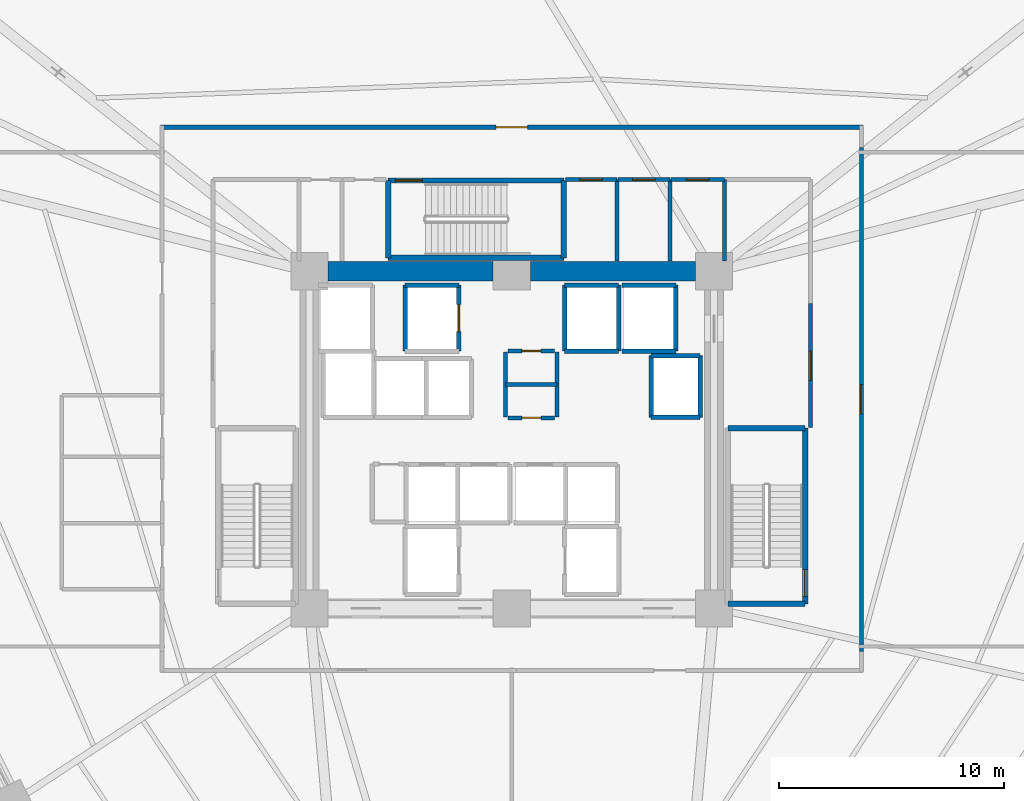
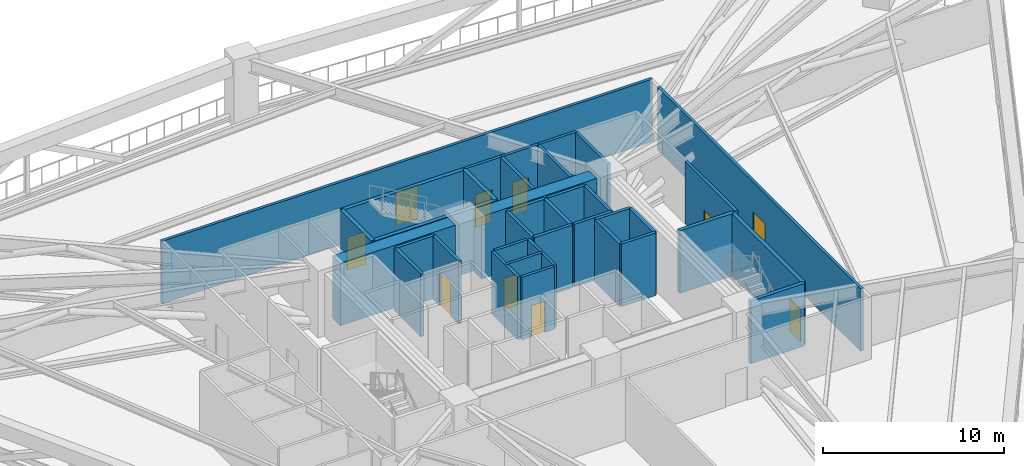
# One storey, part 19 of 25: 37 walls, 11 doors, 11 openings.
"""IFC4 building model written with IfcOpenShell, lengths in metres."""

from ifc_helpers import new_model, si_unit, direction, frame, frame_2d, origin, place, context, subcontext, project, spatial, rectangle, extrude, source, transform, mapped, material, layer, layer_set, type_object, element, fill, save


model = new_model("IFC4")

# Units and contexts
model_context = context("Model", 3, precision=1e-05, world=origin(), true_north=direction((0.0, 1.0)))
body_context = subcontext(model_context, "Body", "Model", "MODEL_VIEW")
ifc_project = project(units=[si_unit("LENGTHUNIT", "METRE"), si_unit("AREAUNIT", "SQUARE_METRE"), si_unit("VOLUMEUNIT", "CUBIC_METRE"), si_unit("PLANEANGLEUNIT", "RADIAN"), si_unit("MASSUNIT", "GRAM", prefix="KILO")], contexts=[model_context])

# Site, building, storey
site_placement = place(None, origin())
site = spatial("IfcSite", under=ifc_project, at=site_placement, CompositionType="ELEMENT")
building_placement = place(site_placement, origin())
building = spatial("IfcBuilding", under=site, at=building_placement, Name="Liaohun Quay Tower", CompositionType="ELEMENT")
storey_placement = place(building_placement, frame((0.0, 0.0, 93.0)))
storey = spatial("IfcBuildingStorey", under=building, at=storey_placement, Name="L24", CompositionType="ELEMENT", Elevation=93.0)

# Walls
ifc_material_1 = material(Name="Concrete C60", Category="concrete")
ifc_layer_1 = layer(ifc_material_1, 0.85009765625, Name="Concrete C60", Category="concrete")
ifc_layer_set_1 = layer_set([ifc_layer_1], Name="Concrete C60")
wall_type_1 = type_object("IfcWallType", Name="WAL-COR-Z1", PredefinedType="SHEAR", material=ifc_layer_set_1)
for number, where, z_axis, x_axis, name in (
    (1, (51.824951171875, 61.5, 0.0), (0.0, 0.0, 1.0), (1.0, 0.0, 0.0), "L24 Central Core Shear Wall N-W"),
    (2, (60.824951171875, 61.5, 0.0), (0.0, 0.0, 1.0), (1.0, 0.0, 0.0), "L24 Central Core Shear Wall N-E"),
):
    element("IfcWall", number, at=place(storey_placement, frame(where, z_axis=z_axis, x_axis=x_axis)), inside=storey, type_object=wall_type_1, Name=name, PredefinedType="SHEAR", context=body_context, shape_type="SweptSolid", body=[
        extrude(rectangle(XDim=7.35009765625, YDim=0.85009765625, at=frame_2d((3.675048828125, 0.0))), origin(), (0.0, 0.0, 1.0), 4.219970703125),
    ])

# Wall, opening, door
ifc_material_2 = material(Name="Autoclaved aerated concrete blockwork", Category="masonry")
ifc_layer_2 = layer(ifc_material_2, 0.179931640625, Name="Autoclaved aerated concrete blockwork", Category="masonry")
ifc_layer_set_2 = layer_set([ifc_layer_2], Name="Autoclaved aerated concrete blockwork")
wall_type_2 = type_object("IfcWallType", Name="WAL-PRT-COR", PredefinedType="PARTITIONING", material=ifc_layer_set_2)
wall_1_placement = place(storey_placement, frame((59.840087890625, 54.97998046875, 0.0), z_axis=(0.0, 0.0, 1.0), x_axis=(1.0, 0.0, 0.0)))
wall_1 = element("IfcWall", 3, at=wall_1_placement, inside=storey, type_object=wall_type_2, Name="L24 Interior Partition Wall 001", PredefinedType="PARTITIONING", context=body_context, shape_type="SweptSolid", body=[
    extrude(rectangle(XDim=2.059814453125, YDim=0.179931640625, at=frame_2d((1.02978515625, 0.0))), origin(), (0.0, 0.0, 1.0), 4.219970703125),
])
shared_shape_1 = source(origin(), body_context, "Body", "SweptSolid", [
    extrude(rectangle(XDim=0.85009765625, YDim=2.10009765625, at=frame_2d((0.425048828125, 1.050048828125))), frame((0.0, 0.099853515625, 0.0), z_axis=(0.0, -1.0, 0.0), x_axis=(1.0, 0.0, 0.0)), (0.0, 0.0, 1.0), 0.199951171875),
])
opening_1_placement = place(wall_1_placement, frame((0.60498046875, 0.0, 0.0)))
opening_1 = element("IfcOpeningElement", 4, at=opening_1_placement, cuts=wall_1, Name="Opening AD1", PredefinedType="OPENING", context=body_context, shape_type="MappedRepresentation", body=[
    mapped(shared_shape_1, transform((0.0, 0.0, 0.0), x_axis=(1.0, 0.0, 0.0), y_axis=(0.0, 1.0, 0.0), z_axis=(0.0, 0.0, 1.0), scale=1.0)),
])
ifc_material_3 = material(Name="Steel riser inspection fire door", Category="steel")
door_type_1 = type_object("IfcDoorType", Name="DOR-SHF-850", OperationType="NOTDEFINED", PredefinedType="DOOR", material=ifc_material_3)
shared_shape_2 = source(origin(), body_context, "Body", "SweptSolid", [
    extrude(rectangle(XDim=0.85009765625, YDim=2.10009765625, at=frame_2d((0.425048828125, 1.050048828125))), frame((0.0, 0.02490234375, 0.0), z_axis=(0.0, -1.0, 0.0), x_axis=(1.0, 0.0, 0.0)), (0.0, 0.0, 1.0), 0.050048828125),
])
door_1_placement = place(opening_1_placement, origin())
door_1 = element("IfcDoor", 5, at=door_1_placement, inside=storey, type_object=door_type_1, Name="L24 Electrical Riser Room Door", OperationType="SINGLE_SWING_LEFT", OverallHeight=2.10009765625, OverallWidth=0.85009765625, PredefinedType="DOOR", context=body_context, shape_type="MappedRepresentation", body=[
    mapped(shared_shape_2, transform((0.0, 0.0, 0.0), x_axis=(1.0, 0.0, 0.0), y_axis=(0.0, 1.0, 0.0), z_axis=(0.0, 0.0, 1.0), scale=1.0)),
])
fill(opening_1, door_1)

wall_2_placement = place(storey_placement, frame((59.840087890625, 57.949951171875, 0.0), z_axis=(0.0, 0.0, 1.0), x_axis=(1.0, 0.0, 0.0)))
wall_2 = element("IfcWall", 6, at=wall_2_placement, inside=storey, type_object=wall_type_2, Name="L24 Interior Partition Wall 002", PredefinedType="PARTITIONING", context=body_context, shape_type="SweptSolid", body=[
    extrude(rectangle(XDim=2.059814453125, YDim=0.179931640625, at=frame_2d((1.02978515625, 0.0))), origin(), (0.0, 0.0, 1.0), 4.219970703125),
])
opening_2_placement = place(wall_2_placement, frame((0.60498046875, 0.0, 0.0)))
opening_2 = element("IfcOpeningElement", 7, at=opening_2_placement, cuts=wall_2, Name="Opening AD1", PredefinedType="OPENING", context=body_context, shape_type="MappedRepresentation", body=[
    mapped(shared_shape_1, transform((0.0, 0.0, 0.0), x_axis=(1.0, 0.0, 0.0), y_axis=(0.0, 1.0, 0.0), z_axis=(0.0, 0.0, 1.0), scale=1.0)),
])
door_2_placement = place(opening_2_placement, origin())
door_2 = element("IfcDoor", 8, at=door_2_placement, inside=storey, type_object=door_type_1, Name="L24 Telecom Comms Closet Door", OperationType="SINGLE_SWING_RIGHT", OverallHeight=2.10009765625, OverallWidth=0.85009765625, PredefinedType="DOOR", context=body_context, shape_type="MappedRepresentation", body=[
    mapped(shared_shape_2, transform((0.0, 0.0, 0.0), x_axis=(1.0, 0.0, 0.0), y_axis=(0.0, 1.0, 0.0), z_axis=(0.0, 0.0, 1.0), scale=1.0)),
])
fill(opening_2, door_2)

wall_3_placement = place(storey_placement, frame((62.389892578125, 65.580078125, 0.0), z_axis=(0.0, 0.0, 1.0), x_axis=(1.0, 0.0, 0.0)))
wall_3 = element("IfcWall", 9, at=wall_3_placement, inside=storey, type_object=wall_type_2, Name="L24 Interior Partition Wall 009", PredefinedType="PARTITIONING", context=body_context, shape_type="SweptSolid", body=[
    extrude(rectangle(XDim=2.2900390625, YDim=0.179931640625, at=frame_2d((1.14501953125, 0.0))), origin(), (0.0, 0.0, 1.0), 4.219970703125),
])
shared_shape_3 = source(origin(), body_context, "Body", "SweptSolid", [
    extrude(rectangle(XDim=1.0, YDim=2.199951171875, at=frame_2d((0.5, 1.10009765625))), frame((0.0, 0.099853515625, 0.0), z_axis=(0.0, -1.0, 0.0), x_axis=(1.0, 0.0, 0.0)), (0.0, 0.0, 1.0), 0.199951171875),
])
opening_3_placement = place(wall_3_placement, frame((0.64501953125, 0.0, 0.0)))
opening_3 = element("IfcOpeningElement", 10, at=opening_3_placement, cuts=wall_3, Name="Opening OD1", PredefinedType="OPENING", context=body_context, shape_type="MappedRepresentation", body=[
    mapped(shared_shape_3, transform((0.0, 0.0, 0.0), x_axis=(1.0, 0.0, 0.0), y_axis=(0.0, 1.0, 0.0), z_axis=(0.0, 0.0, 1.0), scale=1.0)),
])
ifc_material_4 = material(Name="Solid-core oak veneer timber leaf in steel frame", Category="steel")
door_type_2 = type_object("IfcDoorType", Name="DOR-OFF-1000", OperationType="NOTDEFINED", PredefinedType="DOOR", material=ifc_material_4)
shared_shape_4 = source(origin(), body_context, "Body", "SweptSolid", [
    extrude(rectangle(XDim=1.0, YDim=2.199951171875, at=frame_2d((0.5, 1.10009765625))), frame((0.0, 0.02490234375, 0.0), z_axis=(0.0, -1.0, 0.0), x_axis=(1.0, 0.0, 0.0)), (0.0, 0.0, 1.0), 0.050048828125),
])
door_3_placement = place(opening_3_placement, origin())
door_3 = element("IfcDoor", 11, at=door_3_placement, inside=storey, type_object=door_type_2, Name="L24 North-East Mail Store Door", OperationType="SINGLE_SWING_LEFT", OverallHeight=2.199951171875, OverallWidth=1.0, PredefinedType="DOOR", context=body_context, shape_type="MappedRepresentation", body=[
    mapped(shared_shape_4, transform((0.0, 0.0, 0.0), x_axis=(1.0, 0.0, 0.0), y_axis=(0.0, 1.0, 0.0), z_axis=(0.0, 0.0, 1.0), scale=1.0)),
])
fill(opening_3, door_3)

wall_4_placement = place(storey_placement, frame((64.719970703125, 65.580078125, 0.0), z_axis=(0.0, 0.0, 1.0), x_axis=(1.0, 0.0, 0.0)))
wall_4 = element("IfcWall", 12, at=wall_4_placement, inside=storey, type_object=wall_type_2, Name="L24 Interior Partition Wall 010", PredefinedType="PARTITIONING", context=body_context, shape_type="SweptSolid", body=[
    extrude(rectangle(XDim=2.320068359375, YDim=0.179931640625, at=frame_2d((1.16015625, 0.0))), origin(), (0.0, 0.0, 1.0), 4.219970703125),
])
opening_4_placement = place(wall_4_placement, frame((0.659912109375, 0.0, 0.0)))
opening_4 = element("IfcOpeningElement", 13, at=opening_4_placement, cuts=wall_4, Name="Opening OD1", PredefinedType="OPENING", context=body_context, shape_type="MappedRepresentation", body=[
    mapped(shared_shape_3, transform((0.0, 0.0, 0.0), x_axis=(1.0, 0.0, 0.0), y_axis=(0.0, 1.0, 0.0), z_axis=(0.0, 0.0, 1.0), scale=1.0)),
])
door_4_placement = place(opening_4_placement, origin())
door_4 = element("IfcDoor", 14, at=door_4_placement, inside=storey, type_object=door_type_2, Name="L24 North-East Comms Room Door", OperationType="SINGLE_SWING_RIGHT", OverallHeight=2.199951171875, OverallWidth=1.0, PredefinedType="DOOR", context=body_context, shape_type="MappedRepresentation", body=[
    mapped(shared_shape_4, transform((0.0, 0.0, 0.0), x_axis=(1.0, 0.0, 0.0), y_axis=(0.0, 1.0, 0.0), z_axis=(0.0, 0.0, 1.0), scale=1.0)),
])
fill(opening_4, door_4)

wall_5_placement = place(storey_placement, frame((67.080078125, 65.580078125, 0.0), z_axis=(0.0, 0.0, 1.0), x_axis=(1.0, 0.0, 0.0)))
wall_5 = element("IfcWall", 15, at=wall_5_placement, inside=storey, type_object=wall_type_2, Name="L24 Interior Partition Wall 011", PredefinedType="PARTITIONING", context=body_context, shape_type="SweptSolid", body=[
    extrude(rectangle(XDim=2.3798828125, YDim=0.179931640625, at=frame_2d((1.18994140625, 0.0))), origin(), (0.0, 0.0, 1.0), 4.219970703125),
])
opening_5_placement = place(wall_5_placement, frame((0.68994140625, 0.0, 0.0)))
opening_5 = element("IfcOpeningElement", 16, at=opening_5_placement, cuts=wall_5, Name="Opening OD1", PredefinedType="OPENING", context=body_context, shape_type="MappedRepresentation", body=[
    mapped(shared_shape_3, transform((0.0, 0.0, 0.0), x_axis=(1.0, 0.0, 0.0), y_axis=(0.0, 1.0, 0.0), z_axis=(0.0, 0.0, 1.0), scale=1.0)),
])
door_5_placement = place(opening_5_placement, origin())
door_5 = element("IfcDoor", 17, at=door_5_placement, inside=storey, type_object=door_type_2, Name="L24 North-East Cleaner Store Door", OperationType="SINGLE_SWING_LEFT", OverallHeight=2.199951171875, OverallWidth=1.0, PredefinedType="DOOR", context=body_context, shape_type="MappedRepresentation", body=[
    mapped(shared_shape_4, transform((0.0, 0.0, 0.0), x_axis=(1.0, 0.0, 0.0), y_axis=(0.0, 1.0, 0.0), z_axis=(0.0, 0.0, 1.0), scale=1.0)),
])
fill(opening_5, door_5)

wall_6_placement = place(storey_placement, frame((73.300048828125, 54.5400390625, 0.0), z_axis=(0.0, 0.0, 1.0), x_axis=(0.0, 1.0, 0.0)))
wall_6 = element("IfcWall", 18, at=wall_6_placement, inside=storey, type_object=wall_type_2, Name="L24 Interior Partition Wall 013", PredefinedType="PARTITIONING", context=body_context, shape_type="SweptSolid", body=[
    extrude(rectangle(XDim=5.52001953125, YDim=0.179931640625, at=frame_2d((2.760009765625, 0.0))), origin(), (0.0, 0.0, 1.0), 4.219970703125),
])
shared_shape_5 = source(origin(), body_context, "Body", "SweptSolid", [
    extrude(rectangle(XDim=1.300048828125, YDim=2.199951171875, at=frame_2d((0.64990234375, 1.10009765625))), frame((0.0, 0.099853515625, 0.0), z_axis=(0.0, -1.0, 0.0), x_axis=(1.0, 0.0, 0.0)), (0.0, 0.0, 1.0), 0.199951171875),
])
opening_6_placement = place(wall_6_placement, frame((2.110107421875, 0.0, 0.0)))
opening_6 = element("IfcOpeningElement", 19, at=opening_6_placement, cuts=wall_6, Name="Opening FD1", PredefinedType="OPENING", context=body_context, shape_type="MappedRepresentation", body=[
    mapped(shared_shape_5, transform((0.0, 0.0, 0.0), x_axis=(1.0, 0.0, 0.0), y_axis=(0.0, 1.0, 0.0), z_axis=(0.0, 0.0, 1.0), scale=1.0)),
])
ifc_material_5 = material(Name="Galvanised steel smokeproof fire door", Category="steel")
door_type_3 = type_object("IfcDoorType", Name="DOR-FFL-1300", OperationType="NOTDEFINED", PredefinedType="DOOR", material=ifc_material_5)
shared_shape_6 = source(origin(), body_context, "Body", "SweptSolid", [
    extrude(rectangle(XDim=1.300048828125, YDim=2.199951171875, at=frame_2d((0.64990234375, 1.10009765625))), frame((0.0, 0.02490234375, 0.0), z_axis=(0.0, -1.0, 0.0), x_axis=(1.0, 0.0, 0.0)), (0.0, 0.0, 1.0), 0.050048828125),
])
door_6_placement = place(opening_6_placement, origin())
door_6 = element("IfcDoor", 20, at=door_6_placement, inside=storey, type_object=door_type_3, Name="L24 East Core Vestibule Door", OperationType="SINGLE_SWING_LEFT", OverallHeight=2.199951171875, OverallWidth=1.300048828125, PredefinedType="DOOR", context=body_context, shape_type="MappedRepresentation", body=[
    mapped(shared_shape_6, transform((0.0, 0.0, 0.0), x_axis=(1.0, 0.0, 0.0), y_axis=(0.0, 1.0, 0.0), z_axis=(0.0, 0.0, 1.0), scale=1.0)),
])
fill(opening_6, door_6)

wall_7_placement = place(storey_placement, frame((75.56005859375, 67.014892578125, 0.0), z_axis=(0.0, 0.0, 1.0), x_axis=(0.0, -1.0, 0.0)))
wall_7 = element("IfcWall", 21, at=wall_7_placement, inside=storey, type_object=wall_type_2, Name="L24 Interior Partition Wall 014", PredefinedType="PARTITIONING", context=body_context, shape_type="SweptSolid", body=[
    extrude(rectangle(XDim=22.429931640625, YDim=0.179931640625, at=frame_2d((11.21484375, 0.0))), origin(), (0.0, 0.0, 1.0), 4.219970703125),
])
opening_7_placement = place(wall_7_placement, frame((10.56494140625, 0.0, 0.0)))
opening_7 = element("IfcOpeningElement", 22, at=opening_7_placement, cuts=wall_7, Name="Opening FD1", PredefinedType="OPENING", context=body_context, shape_type="MappedRepresentation", body=[
    mapped(shared_shape_5, transform((0.0, 0.0, 0.0), x_axis=(1.0, 0.0, 0.0), y_axis=(0.0, 1.0, 0.0), z_axis=(0.0, 0.0, 1.0), scale=1.0)),
])
door_7_placement = place(opening_7_placement, origin())
door_7 = element("IfcDoor", 23, at=door_7_placement, inside=storey, type_object=door_type_3, Name="L24 South Pressurised Fire Refuge Area Door", OperationType="SINGLE_SWING_RIGHT", OverallHeight=2.199951171875, OverallWidth=1.300048828125, PredefinedType="DOOR", context=body_context, shape_type="MappedRepresentation", body=[
    mapped(shared_shape_6, transform((0.0, 0.0, 0.0), x_axis=(1.0, 0.0, 0.0), y_axis=(0.0, 1.0, 0.0), z_axis=(0.0, 0.0, 1.0), scale=1.0)),
])
fill(opening_7, door_7)

wall_8_placement = place(storey_placement, frame((44.3701171875, 67.909912109375, 0.0), z_axis=(0.0, 0.0, 1.0), x_axis=(1.0, 0.0, 0.0)))
wall_8 = element("IfcWall", 24, at=wall_8_placement, inside=storey, type_object=wall_type_2, Name="L24 Interior Partition Wall 015", PredefinedType="PARTITIONING", context=body_context, shape_type="SweptSolid", body=[
    extrude(rectangle(XDim=31.259765625, YDim=0.179931640625, at=frame_2d((15.6298828125, 0.0))), origin(), (0.0, 0.0, 1.0), 4.219970703125),
])
shared_shape_7 = source(origin(), body_context, "Body", "SweptSolid", [
    extrude(rectangle(XDim=1.39990234375, YDim=2.25, at=frame_2d((0.699951171875, 1.125))), frame((0.0, 0.099853515625, 0.0), z_axis=(0.0, -1.0, 0.0), x_axis=(1.0, 0.0, 0.0)), (0.0, 0.0, 1.0), 0.199951171875),
])
opening_8_placement = place(wall_8_placement, frame((14.929931640625, 0.0, 0.0)))
opening_8 = element("IfcOpeningElement", 25, at=opening_8_placement, cuts=wall_8, Name="Opening MD1", PredefinedType="OPENING", context=body_context, shape_type="MappedRepresentation", body=[
    mapped(shared_shape_7, transform((0.0, 0.0, 0.0), x_axis=(1.0, 0.0, 0.0), y_axis=(0.0, 1.0, 0.0), z_axis=(0.0, 0.0, 1.0), scale=1.0)),
])
ifc_material_6 = material(Name="Insulated steel plant room door", Category="steel")
door_type_4 = type_object("IfcDoorType", Name="DOR-MEP-1400", OperationType="DOUBLE_DOOR_SINGLE_SWING", PredefinedType="DOOR", material=ifc_material_6)
shared_shape_8 = source(origin(), body_context, "Body", "SweptSolid", [
    extrude(rectangle(XDim=1.39990234375, YDim=2.25, at=frame_2d((0.699951171875, 1.125))), frame((0.0, 0.02490234375, 0.0), z_axis=(0.0, -1.0, 0.0), x_axis=(1.0, 0.0, 0.0)), (0.0, 0.0, 1.0), 0.050048828125),
])
door_8_placement = place(opening_8_placement, origin())
door_8 = element("IfcDoor", 26, at=door_8_placement, inside=storey, type_object=door_type_4, Name="L24 Southwest Zone Electrical Switch Plant Room Door", OperationType="DOUBLE_DOOR_SINGLE_SWING", OverallHeight=2.25, OverallWidth=1.39990234375, PredefinedType="DOOR", context=body_context, shape_type="MappedRepresentation", body=[
    mapped(shared_shape_8, transform((0.0, 0.0, 0.0), x_axis=(1.0, 0.0, 0.0), y_axis=(0.0, 1.0, 0.0), z_axis=(0.0, 0.0, 1.0), scale=1.0)),
])
fill(opening_8, door_8)

# Walls
for number, where, z_axis, x_axis, name in (
    (27, (59.719970703125, 55.02001953125, 0.0), (0.0, 0.0, 1.0), (0.0, 1.0, 0.0), "L24 Interior Partition Wall 019"),
    (28, (62.010009765625, 55.02001953125, 0.0), (0.0, 0.0, 1.0), (0.0, 1.0, 0.0), "L24 Interior Partition Wall 020"),
):
    element("IfcWall", number, at=place(storey_placement, frame(where, z_axis=z_axis, x_axis=x_axis)), inside=storey, type_object=wall_type_2, Name=name, PredefinedType="PARTITIONING", context=body_context, shape_type="SweptSolid", body=[
        extrude(rectangle(XDim=2.8798828125, YDim=0.179931640625, at=frame_2d((1.43994140625, 0.0))), origin(), (0.0, 0.0, 1.0), 4.219970703125),
    ])
wall_9_placement = place(storey_placement, frame((59.719970703125, 56.4599609375, 0.0), z_axis=(0.0, 0.0, 1.0), x_axis=(1.0, 0.0, 0.0)))
element("IfcWall", 29, at=wall_9_placement, inside=storey, type_object=wall_type_2, Name="L24 Interior Partition Wall 021", PredefinedType="PARTITIONING", context=body_context, shape_type="SweptSolid", body=[
    extrude(rectangle(XDim=2.2900390625, YDim=0.179931640625, at=frame_2d((1.14501953125, 0.0))), origin(), (0.0, 0.0, 1.0), 4.219970703125),
])
for number, where, z_axis, x_axis, name in (
    (30, (64.679931640625, 61.949951171875, 0.0), (0.0, 0.0, 1.0), (0.0, 1.0, 0.0), "L24 Interior Partition Wall 031"),
    (31, (67.0400390625, 61.949951171875, 0.0), (0.0, 0.0, 1.0), (0.0, 1.0, 0.0), "L24 Interior Partition Wall 032"),
    (32, (69.4599609375, 61.949951171875, 0.0), (0.0, 0.0, 1.0), (0.0, 1.0, 0.0), "L24 Interior Partition Wall 033"),
):
    element("IfcWall", number, at=place(storey_placement, frame(where, z_axis=z_axis, x_axis=x_axis)), inside=storey, type_object=wall_type_2, Name=name, PredefinedType="PARTITIONING", context=body_context, shape_type="SweptSolid", body=[
        extrude(rectangle(XDim=3.630126953125, YDim=0.179931640625, at=frame_2d((1.81494140625, 0.0))), origin(), (0.0, 0.0, 1.0), 4.219970703125),
    ])
ifc_material_7 = material(Name="Concrete C50", Category="concrete")
ifc_layer_3 = layer(ifc_material_7, 0.239990234375, Name="Concrete C50", Category="concrete")
ifc_layer_set_3 = layer_set([ifc_layer_3], Name="Concrete C50")
wall_type_3 = type_object("IfcWallType", Name="WAL-SHF-200", PredefinedType="SOLIDWALL", material=ifc_layer_set_3)
wall_10_placement = place(storey_placement, frame((69.6201171875, 46.699951171875, 0.0), z_axis=(0.0, 0.0, 1.0), x_axis=(1.0, 0.0, 0.0)))
element("IfcWall", 33, at=wall_10_placement, inside=storey, type_object=wall_type_3, Name="L24 Stairwell ST-2 Structural Core Wall S", PredefinedType="SOLIDWALL", context=body_context, shape_type="SweptSolid", body=[
    extrude(rectangle(XDim=3.43994140625, YDim=0.239990234375, at=frame_2d((1.719970703125, 0.0))), origin(), (0.0, 0.0, 1.0), 4.219970703125),
])

# Wall, opening, door
wall_11_placement = place(storey_placement, frame((73.06005859375, 46.699951171875, 0.0), z_axis=(0.0, 0.0, 1.0), x_axis=(0.0, 1.0, 0.0)))
wall_11 = element("IfcWall", 34, at=wall_11_placement, inside=storey, type_object=wall_type_3, Name="L24 Stairwell ST-2 Structural Core Wall E", PredefinedType="SOLIDWALL", context=body_context, shape_type="SweptSolid", body=[
    extrude(rectangle(XDim=7.820068359375, YDim=0.239990234375, at=frame_2d((3.91015625, 0.0))), origin(), (0.0, 0.0, 1.0), 4.219970703125),
])
shared_shape_9 = source(origin(), body_context, "Body", "SweptSolid", [
    extrude(rectangle(XDim=1.199951171875, YDim=2.199951171875, at=frame_2d((0.60009765625, 1.10009765625))), frame((0.0, 0.1298828125, 0.0), z_axis=(0.0, -1.0, 0.0), x_axis=(1.0, 0.0, 0.0)), (0.0, 0.0, 1.0), 0.260009765625),
])
opening_9_placement = place(wall_11_placement, frame((0.320068359375, 0.0, 0.0)))
opening_9 = element("IfcOpeningElement", 35, at=opening_9_placement, cuts=wall_11, Name="Opening SD1", PredefinedType="OPENING", context=body_context, shape_type="MappedRepresentation", body=[
    mapped(shared_shape_9, transform((0.0, 0.0, 0.0), x_axis=(1.0, 0.0, 0.0), y_axis=(0.0, 1.0, 0.0), z_axis=(0.0, 0.0, 1.0), scale=1.0)),
])
ifc_material_8 = material(Name="Galvanised steel fire door", Category="steel")
door_type_5 = type_object("IfcDoorType", Name="DOR-STR-1200", OperationType="NOTDEFINED", PredefinedType="DOOR", material=ifc_material_8)
shared_shape_10 = source(origin(), body_context, "Body", "SweptSolid", [
    extrude(rectangle(XDim=1.199951171875, YDim=2.199951171875, at=frame_2d((0.60009765625, 1.10009765625))), frame((0.0, 0.02490234375, 0.0), z_axis=(0.0, -1.0, 0.0), x_axis=(1.0, 0.0, 0.0)), (0.0, 0.0, 1.0), 0.050048828125),
])
door_9_placement = place(opening_9_placement, origin())
door_9 = element("IfcDoor", 36, at=door_9_placement, inside=storey, type_object=door_type_5, Name="L24 Protected Stair ST-2 Fire Door", OperationType="SINGLE_SWING_RIGHT", OverallHeight=2.199951171875, OverallWidth=1.199951171875, PredefinedType="DOOR", context=body_context, shape_type="MappedRepresentation", body=[
    mapped(shared_shape_10, transform((0.0, 0.0, 0.0), x_axis=(1.0, 0.0, 0.0), y_axis=(0.0, 1.0, 0.0), z_axis=(0.0, 0.0, 1.0), scale=1.0)),
])
fill(opening_9, door_9)

# Walls
wall_12_placement = place(storey_placement, frame((73.06005859375, 54.52001953125, 0.0), z_axis=(0.0, 0.0, 1.0), x_axis=(-1.0, 0.0, 0.0)))
element("IfcWall", 37, at=wall_12_placement, inside=storey, type_object=wall_type_3, Name="L24 Stairwell ST-2 Structural Core Wall N", PredefinedType="SOLIDWALL", context=body_context, shape_type="SweptSolid", body=[
    extrude(rectangle(XDim=3.43994140625, YDim=0.239990234375, at=frame_2d((1.719970703125, 0.0))), origin(), (0.0, 0.0, 1.0), 4.219970703125),
])
wall_13_placement = place(storey_placement, frame((54.5, 62.10009765625, 0.0), z_axis=(0.0, 0.0, 1.0), x_axis=(1.0, 0.0, 0.0)))
element("IfcWall", 38, at=wall_13_placement, inside=storey, type_object=wall_type_3, Name="L24 Stairwell ST-3 Structural Core Wall S", PredefinedType="SOLIDWALL", context=body_context, shape_type="SweptSolid", body=[
    extrude(rectangle(XDim=7.820068359375, YDim=0.239990234375, at=frame_2d((3.91015625, 0.0))), origin(), (0.0, 0.0, 1.0), 4.219970703125),
])
wall_14_placement = place(storey_placement, frame((62.320068359375, 62.10009765625, 0.0), z_axis=(0.0, 0.0, 1.0), x_axis=(0.0, 1.0, 0.0)))
element("IfcWall", 39, at=wall_14_placement, inside=storey, type_object=wall_type_3, Name="L24 Stairwell ST-3 Structural Core Wall E", PredefinedType="SOLIDWALL", context=body_context, shape_type="SweptSolid", body=[
    extrude(rectangle(XDim=3.43994140625, YDim=0.239990234375, at=frame_2d((1.719970703125, 0.0))), origin(), (0.0, 0.0, 1.0), 4.219970703125),
])

# Wall, opening, door
wall_15_placement = place(storey_placement, frame((62.320068359375, 65.5400390625, 0.0), z_axis=(0.0, 0.0, 1.0), x_axis=(-1.0, 0.0, 0.0)))
wall_15 = element("IfcWall", 40, at=wall_15_placement, inside=storey, type_object=wall_type_3, Name="L24 Stairwell ST-3 Structural Core Wall N", PredefinedType="SOLIDWALL", context=body_context, shape_type="SweptSolid", body=[
    extrude(rectangle(XDim=7.820068359375, YDim=0.239990234375, at=frame_2d((3.91015625, 0.0))), origin(), (0.0, 0.0, 1.0), 4.219970703125),
])
opening_10_placement = place(wall_15_placement, frame((6.300048828125, 0.0, 0.0)))
opening_10 = element("IfcOpeningElement", 41, at=opening_10_placement, cuts=wall_15, Name="Opening SD1", PredefinedType="OPENING", context=body_context, shape_type="MappedRepresentation", body=[
    mapped(shared_shape_9, transform((0.0, 0.0, 0.0), x_axis=(1.0, 0.0, 0.0), y_axis=(0.0, 1.0, 0.0), z_axis=(0.0, 0.0, 1.0), scale=1.0)),
])
door_10_placement = place(opening_10_placement, origin())
door_10 = element("IfcDoor", 42, at=door_10_placement, inside=storey, type_object=door_type_5, Name="L24 Protected Stair ST-3 Fire Door", OperationType="SINGLE_SWING_RIGHT", OverallHeight=2.199951171875, OverallWidth=1.199951171875, PredefinedType="DOOR", context=body_context, shape_type="MappedRepresentation", body=[
    mapped(shared_shape_10, transform((0.0, 0.0, 0.0), x_axis=(1.0, 0.0, 0.0), y_axis=(0.0, 1.0, 0.0), z_axis=(0.0, 0.0, 1.0), scale=1.0)),
])
fill(opening_10, door_10)

# Wall
wall_16_placement = place(storey_placement, frame((54.5, 65.5400390625, 0.0), z_axis=(0.0, 0.0, 1.0), x_axis=(0.0, -1.0, 0.0)))
element("IfcWall", 43, at=wall_16_placement, inside=storey, type_object=wall_type_3, Name="L24 Stairwell ST-3 Structural Core Wall W", PredefinedType="SOLIDWALL", context=body_context, shape_type="SweptSolid", body=[
    extrude(rectangle(XDim=3.43994140625, YDim=0.239990234375, at=frame_2d((1.719970703125, 0.0))), origin(), (0.0, 0.0, 1.0), 4.219970703125),
])

# Wall, opening, door
wall_17_placement = place(storey_placement, frame((57.64990234375, 57.949951171875, 0.0), z_axis=(0.0, 0.0, 1.0), x_axis=(0.0, 1.0, 0.0)))
wall_17 = element("IfcWall", 44, at=wall_17_placement, inside=storey, type_object=wall_type_3, Name="L24 Lift FF-03 Hoistway Wall E", PredefinedType="SOLIDWALL", context=body_context, shape_type="SweptSolid", body=[
    extrude(rectangle(XDim=2.929931640625, YDim=0.199951171875, at=frame_2d((1.46484375, 0.0))), origin(), (0.0, 0.0, 1.0), 4.219970703125),
])
shared_shape_11 = source(origin(), body_context, "Body", "SweptSolid", [
    extrude(rectangle(XDim=1.199951171875, YDim=2.300048828125, at=frame_2d((0.60009765625, 1.14990234375))), frame((0.0, 0.10986328125, 0.0), z_axis=(0.0, -1.0, 0.0), x_axis=(1.0, 0.0, 0.0)), (0.0, 0.0, 1.0), 0.219970703125),
])
opening_11_placement = place(wall_17_placement, frame((0.864990234375, 0.0, 0.0)))
opening_11 = element("IfcOpeningElement", 45, at=opening_11_placement, cuts=wall_17, Name="Opening LD2", PredefinedType="OPENING", context=body_context, shape_type="MappedRepresentation", body=[
    mapped(shared_shape_11, transform((0.0, 0.0, 0.0), x_axis=(1.0, 0.0, 0.0), y_axis=(0.0, 1.0, 0.0), z_axis=(0.0, 0.0, 1.0), scale=1.0)),
])
ifc_material_9 = material(Name="Brushed stainless steel stretcher landing door", Category="steel")
door_type_6 = type_object("IfcDoorType", Name="DOR-LFT-1200", OperationType="SLIDING_TO_LEFT", PredefinedType="DOOR", material=ifc_material_9)
shared_shape_12 = source(origin(), body_context, "Body", "SweptSolid", [
    extrude(rectangle(XDim=1.199951171875, YDim=2.300048828125, at=frame_2d((0.60009765625, 1.14990234375))), frame((0.0, 0.02490234375, 0.0), z_axis=(0.0, -1.0, 0.0), x_axis=(1.0, 0.0, 0.0)), (0.0, 0.0, 1.0), 0.050048828125),
])
door_11_placement = place(opening_11_placement, origin())
door_11 = element("IfcDoor", 46, at=door_11_placement, inside=storey, type_object=door_type_6, Name="L24 Lift FF-03 Sliding Landing Door", OperationType="SLIDING_TO_LEFT", OverallHeight=2.300048828125, OverallWidth=1.199951171875, PredefinedType="DOOR", context=body_context, shape_type="MappedRepresentation", body=[
    mapped(shared_shape_12, transform((0.0, 0.0, 0.0), x_axis=(1.0, 0.0, 0.0), y_axis=(0.0, 1.0, 0.0), z_axis=(0.0, 0.0, 1.0), scale=1.0)),
])
fill(opening_11, door_11)

# Walls
wall_18_placement = place(storey_placement, frame((57.64990234375, 60.8798828125, 0.0), z_axis=(0.0, 0.0, 1.0), x_axis=(-1.0, 0.0, 0.0)))
element("IfcWall", 47, at=wall_18_placement, inside=storey, type_object=wall_type_3, Name="L24 Lift FF-03 Hoistway Wall N", PredefinedType="SOLIDWALL", context=body_context, shape_type="SweptSolid", body=[
    extrude(rectangle(XDim=2.39990234375, YDim=0.199951171875, at=frame_2d((1.199951171875, 0.0))), origin(), (0.0, 0.0, 1.0), 4.219970703125),
])
wall_19_placement = place(storey_placement, frame((55.25, 60.8798828125, 0.0), z_axis=(0.0, 0.0, 1.0), x_axis=(0.0, -1.0, 0.0)))
element("IfcWall", 48, at=wall_19_placement, inside=storey, type_object=wall_type_3, Name="L24 Lift FF-03 Hoistway Wall W", PredefinedType="SOLIDWALL", context=body_context, shape_type="SweptSolid", body=[
    extrude(rectangle(XDim=2.929931640625, YDim=0.199951171875, at=frame_2d((1.46484375, 0.0))), origin(), (0.0, 0.0, 1.0), 4.219970703125),
])
wall_20_placement = place(storey_placement, frame((62.35009765625, 57.949951171875, 0.0), z_axis=(0.0, 0.0, 1.0), x_axis=(1.0, 0.0, 0.0)))
element("IfcWall", 49, at=wall_20_placement, inside=storey, type_object=wall_type_3, Name="L24 Lift OB-01 Hoistway Wall S", PredefinedType="SOLIDWALL", context=body_context, shape_type="SweptSolid", body=[
    extrude(rectangle(XDim=2.39990234375, YDim=0.199951171875, at=frame_2d((1.199951171875, 0.0))), origin(), (0.0, 0.0, 1.0), 4.219970703125),
])
wall_21_placement = place(storey_placement, frame((64.75, 57.949951171875, 0.0), z_axis=(0.0, 0.0, 1.0), x_axis=(0.0, 1.0, 0.0)))
element("IfcWall", 50, at=wall_21_placement, inside=storey, type_object=wall_type_3, Name="L24 Lift OB-01 Hoistway Wall E", PredefinedType="SOLIDWALL", context=body_context, shape_type="SweptSolid", body=[
    extrude(rectangle(XDim=2.929931640625, YDim=0.199951171875, at=frame_2d((1.46484375, 0.0))), origin(), (0.0, 0.0, 1.0), 4.219970703125),
])
wall_22_placement = place(storey_placement, frame((64.75, 60.8798828125, 0.0), z_axis=(0.0, 0.0, 1.0), x_axis=(-1.0, 0.0, 0.0)))
element("IfcWall", 51, at=wall_22_placement, inside=storey, type_object=wall_type_3, Name="L24 Lift OB-01 Hoistway Wall N", PredefinedType="SOLIDWALL", context=body_context, shape_type="SweptSolid", body=[
    extrude(rectangle(XDim=2.39990234375, YDim=0.199951171875, at=frame_2d((1.199951171875, 0.0))), origin(), (0.0, 0.0, 1.0), 4.219970703125),
])
wall_23_placement = place(storey_placement, frame((62.35009765625, 60.8798828125, 0.0), z_axis=(0.0, 0.0, 1.0), x_axis=(0.0, -1.0, 0.0)))
element("IfcWall", 52, at=wall_23_placement, inside=storey, type_object=wall_type_3, Name="L24 Lift OB-01 Hoistway Wall W", PredefinedType="SOLIDWALL", context=body_context, shape_type="SweptSolid", body=[
    extrude(rectangle(XDim=2.929931640625, YDim=0.199951171875, at=frame_2d((1.46484375, 0.0))), origin(), (0.0, 0.0, 1.0), 4.219970703125),
])
wall_24_placement = place(storey_placement, frame((64.89990234375, 57.949951171875, 0.0), z_axis=(0.0, 0.0, 1.0), x_axis=(1.0, 0.0, 0.0)))
element("IfcWall", 53, at=wall_24_placement, inside=storey, type_object=wall_type_3, Name="L24 Lift OB-02 Hoistway Wall S", PredefinedType="SOLIDWALL", context=body_context, shape_type="SweptSolid", body=[
    extrude(rectangle(XDim=2.400146484375, YDim=0.199951171875, at=frame_2d((1.2001953125, 0.0))), origin(), (0.0, 0.0, 1.0), 4.219970703125),
])
wall_25_placement = place(storey_placement, frame((67.300048828125, 57.949951171875, 0.0), z_axis=(0.0, 0.0, 1.0), x_axis=(0.0, 1.0, 0.0)))
element("IfcWall", 54, at=wall_25_placement, inside=storey, type_object=wall_type_3, Name="L24 Lift OB-02 Hoistway Wall E", PredefinedType="SOLIDWALL", context=body_context, shape_type="SweptSolid", body=[
    extrude(rectangle(XDim=2.929931640625, YDim=0.199951171875, at=frame_2d((1.46484375, 0.0))), origin(), (0.0, 0.0, 1.0), 4.219970703125),
])
wall_26_placement = place(storey_placement, frame((67.300048828125, 60.8798828125, 0.0), z_axis=(0.0, 0.0, 1.0), x_axis=(-1.0, 0.0, 0.0)))
element("IfcWall", 55, at=wall_26_placement, inside=storey, type_object=wall_type_3, Name="L24 Lift OB-02 Hoistway Wall N", PredefinedType="SOLIDWALL", context=body_context, shape_type="SweptSolid", body=[
    extrude(rectangle(XDim=2.400146484375, YDim=0.199951171875, at=frame_2d((1.2001953125, 0.0))), origin(), (0.0, 0.0, 1.0), 4.219970703125),
])
wall_27_placement = place(storey_placement, frame((66.199951171875, 55.0, 0.0), z_axis=(0.0, 0.0, 1.0), x_axis=(1.0, 0.0, 0.0)))
element("IfcWall", 56, at=wall_27_placement, inside=storey, type_object=wall_type_3, Name="L24 Lift SH-03 Hoistway Wall S", PredefinedType="SOLIDWALL", context=body_context, shape_type="SweptSolid", body=[
    extrude(rectangle(XDim=2.179931640625, YDim=0.199951171875, at=frame_2d((1.08984375, 0.0))), origin(), (0.0, 0.0, 1.0), 4.219970703125),
])
wall_28_placement = place(storey_placement, frame((68.3798828125, 55.0, 0.0), z_axis=(0.0, 0.0, 1.0), x_axis=(0.0, 1.0, 0.0)))
element("IfcWall", 57, at=wall_28_placement, inside=storey, type_object=wall_type_3, Name="L24 Lift SH-03 Hoistway Wall E", PredefinedType="SOLIDWALL", context=body_context, shape_type="SweptSolid", body=[
    extrude(rectangle(XDim=2.75, YDim=0.199951171875, at=frame_2d((1.375, 0.0))), origin(), (0.0, 0.0, 1.0), 4.219970703125),
])
wall_29_placement = place(storey_placement, frame((68.3798828125, 57.75, 0.0), z_axis=(0.0, 0.0, 1.0), x_axis=(-1.0, 0.0, 0.0)))
element("IfcWall", 58, at=wall_29_placement, inside=storey, type_object=wall_type_3, Name="L24 Lift SH-03 Hoistway Wall N", PredefinedType="SOLIDWALL", context=body_context, shape_type="SweptSolid", body=[
    extrude(rectangle(XDim=2.179931640625, YDim=0.199951171875, at=frame_2d((1.08984375, 0.0))), origin(), (0.0, 0.0, 1.0), 4.219970703125),
])
wall_30_placement = place(storey_placement, frame((66.199951171875, 57.75, 0.0), z_axis=(0.0, 0.0, 1.0), x_axis=(0.0, -1.0, 0.0)))
element("IfcWall", 59, at=wall_30_placement, inside=storey, type_object=wall_type_3, Name="L24 Lift SH-03 Hoistway Wall W", PredefinedType="SOLIDWALL", context=body_context, shape_type="SweptSolid", body=[
    extrude(rectangle(XDim=2.75, YDim=0.199951171875, at=frame_2d((1.375, 0.0))), origin(), (0.0, 0.0, 1.0), 4.219970703125),
])

save(model, "model.ifc")
